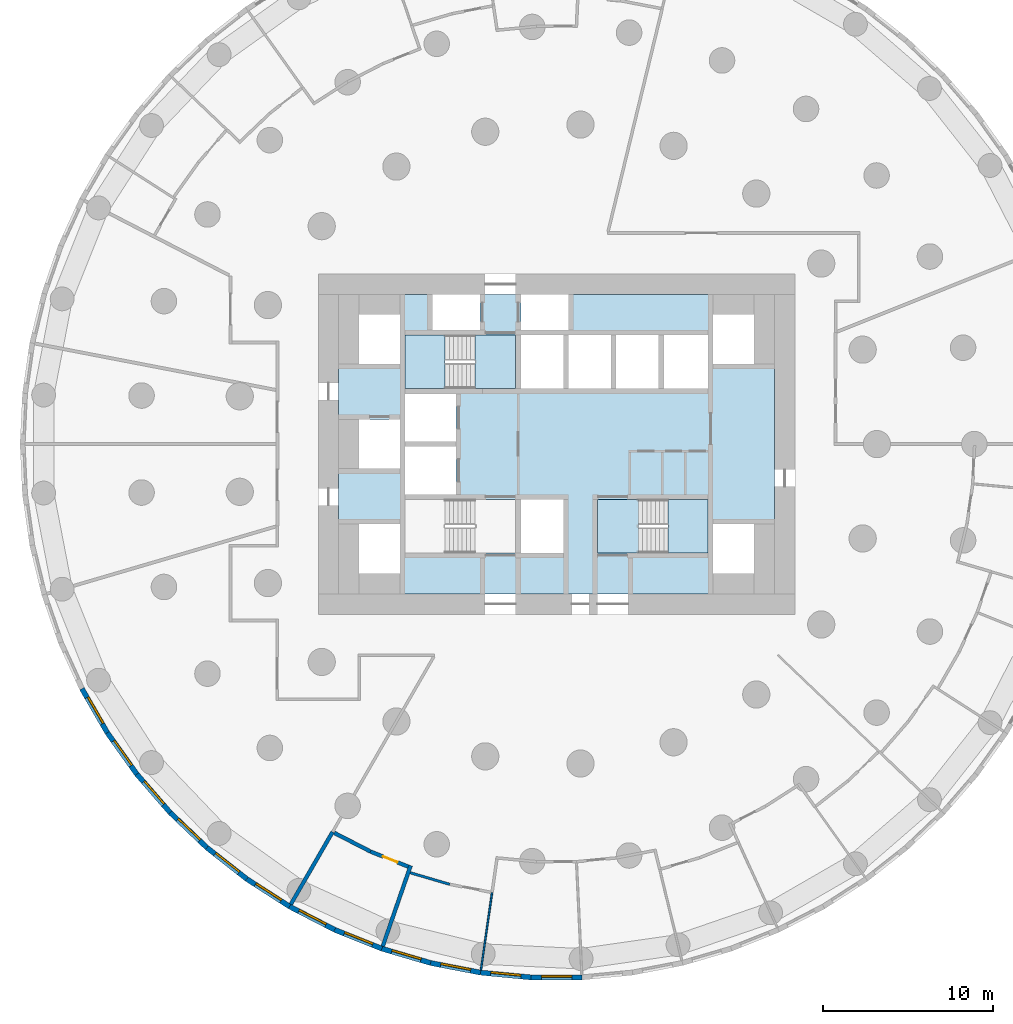
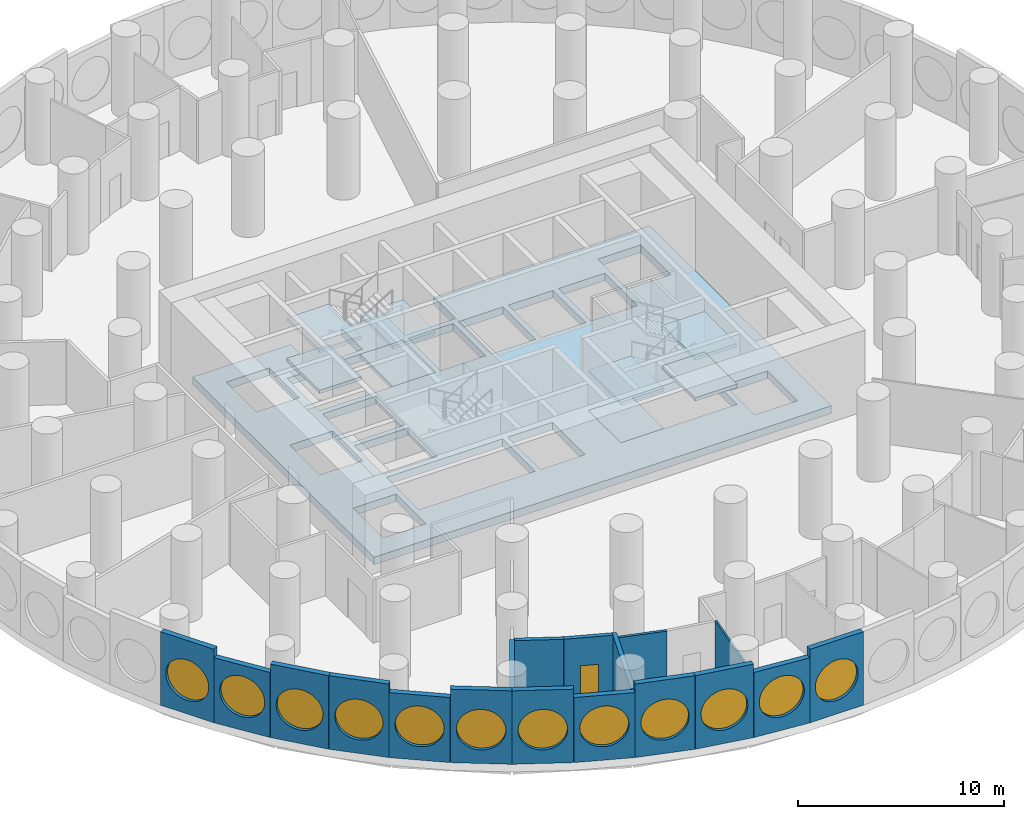
# One storey, part 2 of 11: 18 walls, 12 windows, 9 slabs, 1 door, 13 openings, 2 elements without a shape of their own.
"""IFC4 building model written with IfcOpenShell, lengths in metres."""

from ifc_helpers import new_model, si_unit, direction, frame, frame_2d, origin, origin_2d, place, context, subcontext, project, spatial, polyline, rectangle, circle, outline, extrude, material, layer, layer_set, type_object, element, fill, aggregate, save


model = new_model("IFC4")

# Units and contexts
model_context = context("Model", 3, precision=1e-05, world=origin(), true_north=direction((0.0, 1.0)))
body_context = subcontext(model_context, "Body", "Model", "MODEL_VIEW")
ifc_project = project(units=[si_unit("LENGTHUNIT", "METRE"), si_unit("AREAUNIT", "SQUARE_METRE"), si_unit("VOLUMEUNIT", "CUBIC_METRE"), si_unit("PLANEANGLEUNIT", "RADIAN"), si_unit("MASSUNIT", "GRAM", prefix="KILO")], contexts=[model_context])

# Site, building, storey
site_placement = place(None, origin())
site = spatial("IfcSite", under=ifc_project, at=site_placement, CompositionType="ELEMENT")
building_placement = place(site_placement, origin())
building = spatial("IfcBuilding", under=site, at=building_placement, Name="Tracery Tower", CompositionType="ELEMENT")
storey_placement = place(building_placement, frame((0.0, 0.0, 23.39990234375)))
storey = spatial("IfcBuildingStorey", under=building, at=storey_placement, Name="L04", CompositionType="ELEMENT", Elevation=23.39990234375)

# Slabs
ifc_material_1 = material(Name="Concrete C60/75", Category="concrete")
ifc_layer_1 = layer(ifc_material_1, 0.449951171875)
ifc_layer_set_1 = layer_set([ifc_layer_1], Name="Core floor slab 450 C60")
slab_type_1 = type_object("IfcSlabType", Name="Core floor slab 450 C60", PredefinedType="FLOOR", material=ifc_layer_set_1)
slab_1_placement = place(storey_placement, frame((0.0, 0.0, -0.449951171875)))
element("IfcSlab", 1, at=slab_1_placement, inside=storey, type_object=slab_type_1, Name="L04 core floor 1", PredefinedType="FLOOR", context=body_context, shape_type="SweptSolid", body=[
    extrude(outline(polyline([(-12.800048828125, 8.800048828125), (-7.300048828125, 8.800048828125), (-7.300048828125, 6.699951171875), (-4.5, 6.699951171875), (-4.5, 8.800048828125), (-2.10009765625, 8.800048828125), (-2.10009765625, 6.699951171875), (0.699951171875, 6.699951171875), (0.699951171875, 8.800048828125), (12.800048828125, 8.800048828125), (12.800048828125, -8.800048828125), (-12.800048828125, -8.800048828125), (-12.800048828125, 8.800048828125)]), holes=[polyline([(11.60009765625, -7.60009765625), (11.60009765625, -4.699951171875), (9.199951171875, -4.699951171875), (9.199951171875, -7.60009765625), (11.60009765625, -7.60009765625)]), polyline([(11.60009765625, 4.699951171875), (11.60009765625, 7.60009765625), (9.199951171875, 7.60009765625), (9.199951171875, 4.699951171875), (11.60009765625, 4.699951171875)]), polyline([(2.39990234375, -6.39990234375), (8.89990234375, -6.39990234375), (8.89990234375, -3.25), (2.39990234375, -3.25), (2.39990234375, -6.39990234375)]), polyline([(6.300048828125, 3.25), (8.89990234375, 3.25), (8.89990234375, 6.39990234375), (6.300048828125, 6.39990234375), (6.300048828125, 3.25)]), polyline([(3.5, 3.25), (6.0, 3.25), (6.0, 6.39990234375), (3.5, 6.39990234375), (3.5, 3.25)]), polyline([(3.199951171875, 3.25), (3.199951171875, 6.39990234375), (0.699951171875, 6.39990234375), (0.699951171875, 3.25), (3.199951171875, 3.25)]), polyline([(-2.10009765625, 3.25), (0.39990234375, 3.25), (0.39990234375, 6.39990234375), (-2.10009765625, 6.39990234375), (-2.10009765625, 3.25)]), polyline([(0.39990234375, -6.39990234375), (0.39990234375, -3.25), (-2.10009765625, -3.25), (-2.10009765625, -6.39990234375), (0.39990234375, -6.39990234375)]), polyline([(-2.39990234375, -6.39990234375), (-2.39990234375, -3.25), (-8.89990234375, -3.25), (-8.89990234375, -6.39990234375), (-2.39990234375, -6.39990234375)]), polyline([(-2.39990234375, 3.25), (-2.39990234375, 6.39990234375), (-8.89990234375, 6.39990234375), (-8.89990234375, 3.25), (-2.39990234375, 3.25)]), polyline([(-8.89990234375, -2.949951171875), (-5.89990234375, -2.949951171875), (-5.89990234375, -0.14990234375), (-8.89990234375, -0.14990234375), (-8.89990234375, -2.949951171875)]), polyline([(-5.89990234375, 0.14990234375), (-5.89990234375, 2.949951171875), (-8.89990234375, 2.949951171875), (-8.89990234375, 0.14990234375), (-5.89990234375, 0.14990234375)]), polyline([(-11.60009765625, 4.699951171875), (-9.199951171875, 4.699951171875), (-9.199951171875, 7.60009765625), (-11.60009765625, 7.60009765625), (-11.60009765625, 4.699951171875)]), polyline([(-9.199951171875, -7.60009765625), (-9.199951171875, -4.699951171875), (-11.60009765625, -4.699951171875), (-11.60009765625, -7.60009765625), (-9.199951171875, -7.60009765625)]), polyline([(-9.199951171875, -1.449951171875), (-9.199951171875, 1.449951171875), (-11.60009765625, 1.449951171875), (-11.60009765625, -1.449951171875), (-9.199951171875, -1.449951171875)])]), origin(), (0.0, 0.0, 1.0), 0.449951171875),
])
ifc_material_2 = material(Name="Concrete C32/40", Category="concrete")
ifc_layer_2 = layer(ifc_material_2, 0.199951171875)
ifc_layer_set_2 = layer_set([ifc_layer_2], Name="Stair landing slab 200")
slab_type_2 = type_object("IfcSlabType", Name="Stair landing slab 200", PredefinedType="LANDING", material=ifc_layer_set_2)
slab_2_placement = place(storey_placement, frame((0.0, 0.0, -0.199951171875)))
element("IfcSlab", 2, at=slab_2_placement, inside=storey, type_object=slab_type_2, Name="L04 stair ST3 floor landing", PredefinedType="LANDING", context=body_context, shape_type="SweptSolid", body=[
    extrude(outline(polyline([(-2.39990234375, 6.39990234375), (-4.800537109375, 6.39990234375), (-4.800537109375, 3.25), (-2.39990234375, 3.25), (-2.39990234375, 6.39990234375)])), origin(), (0.0, 0.0, 1.0), 0.199951171875),
])
slab_3_placement = place(storey_placement, frame((0.0, 0.0, -0.199951171875)))
element("IfcSlab", 3, at=slab_3_placement, inside=storey, type_object=slab_type_2, Name="L04 stair ST2 floor landing", PredefinedType="LANDING", context=body_context, shape_type="SweptSolid", body=[
    extrude(outline(polyline([(2.39990234375, -6.39990234375), (4.800537109375, -6.39990234375), (4.800537109375, -3.25), (2.39990234375, -3.25), (2.39990234375, -6.39990234375)])), origin(), (0.0, 0.0, 1.0), 0.199951171875),
])

# Stair, slabs
ifc_material_3 = material(Name="Concrete C32/40", Category="concrete")
stair_type = type_object("IfcStairType", Name="Core stair 32 risers", PredefinedType="HALF_TURN_STAIR", material=ifc_material_3)
stair_1_placement = place(storey_placement, origin())
stair_1 = element("IfcStair", 4, at=stair_1_placement, inside=storey, type_object=stair_type, Name="L04 stair ST3", PredefinedType="HALF_TURN_STAIR")
slab_4_placement = place(storey_placement, frame((0.0, 0.0, 1.0)))
slab_4 = element("IfcSlab", 5, at=slab_4_placement, type_object=slab_type_2, Name="ST3 landing 1", PredefinedType="LANDING", context=body_context, shape_type="SweptSolid", body=[
    extrude(outline(polyline([(-6.54931640625, 6.39990234375), (-8.89990234375, 6.39990234375), (-8.89990234375, 3.25), (-6.54931640625, 3.25), (-6.54931640625, 6.39990234375)])), origin(), (0.0, 0.0, 1.0), 0.2001953125),
])
slab_5_placement = place(storey_placement, frame((0.0, 0.0, 2.2001953125)))
slab_5 = element("IfcSlab", 6, at=slab_5_placement, type_object=slab_type_2, Name="ST3 landing 2", PredefinedType="LANDING", context=body_context, shape_type="SweptSolid", body=[
    extrude(outline(polyline([(-2.39990234375, 6.39990234375), (-4.800537109375, 6.39990234375), (-4.800537109375, 3.25), (-2.39990234375, 3.25), (-2.39990234375, 6.39990234375)])), origin(), (0.0, 0.0, 1.0), 0.199951171875),
])
slab_6_placement = place(storey_placement, frame((0.0, 0.0, 3.400146484375)))
slab_6 = element("IfcSlab", 7, at=slab_6_placement, type_object=slab_type_2, Name="ST3 landing 3", PredefinedType="LANDING", context=body_context, shape_type="SweptSolid", body=[
    extrude(outline(polyline([(-6.54931640625, 6.39990234375), (-8.89990234375, 6.39990234375), (-8.89990234375, 3.25), (-6.54931640625, 3.25), (-6.54931640625, 6.39990234375)])), origin(), (0.0, 0.0, 1.0), 0.199951171875),
])
aggregate(stair_1, [slab_4, slab_5, slab_6])

stair_2_placement = place(storey_placement, origin())
stair_2 = element("IfcStair", 8, at=stair_2_placement, inside=storey, type_object=stair_type, Name="L04 stair ST2", PredefinedType="HALF_TURN_STAIR")
slab_7_placement = place(storey_placement, frame((0.0, 0.0, 1.0)))
slab_7 = element("IfcSlab", 9, at=slab_7_placement, type_object=slab_type_2, Name="ST2 landing 1", PredefinedType="LANDING", context=body_context, shape_type="SweptSolid", body=[
    extrude(outline(polyline([(6.54931640625, -6.39990234375), (8.89990234375, -6.39990234375), (8.89990234375, -3.25), (6.54931640625, -3.25), (6.54931640625, -6.39990234375)])), origin(), (0.0, 0.0, 1.0), 0.2001953125),
])
slab_8_placement = place(storey_placement, frame((0.0, 0.0, 2.2001953125)))
slab_8 = element("IfcSlab", 10, at=slab_8_placement, type_object=slab_type_2, Name="ST2 landing 2", PredefinedType="LANDING", context=body_context, shape_type="SweptSolid", body=[
    extrude(outline(polyline([(2.39990234375, -6.39990234375), (4.800537109375, -6.39990234375), (4.800537109375, -3.25), (2.39990234375, -3.25), (2.39990234375, -6.39990234375)])), origin(), (0.0, 0.0, 1.0), 0.199951171875),
])
slab_9_placement = place(storey_placement, frame((0.0, 0.0, 3.400146484375)))
slab_9 = element("IfcSlab", 11, at=slab_9_placement, type_object=slab_type_2, Name="ST2 landing 3", PredefinedType="LANDING", context=body_context, shape_type="SweptSolid", body=[
    extrude(outline(polyline([(6.54931640625, -6.39990234375), (8.89990234375, -6.39990234375), (8.89990234375, -3.25), (6.54931640625, -3.25), (6.54931640625, -6.39990234375)])), origin(), (0.0, 0.0, 1.0), 0.199951171875),
])
aggregate(stair_2, [slab_7, slab_8, slab_9])

# Wall
ifc_material_4 = material(Name="Plasterboard on steel studs", Category="steel")
ifc_layer_3 = layer(ifc_material_4, 0.14990234375)
ifc_layer_set_3 = layer_set([ifc_layer_3], Name="Corridor partition 150")
wall_type_1 = type_object("IfcWallType", Name="Corridor partition 150", PredefinedType="PARTITIONING", material=ifc_layer_set_3)
wall_1_placement = place(storey_placement, frame((-8.596435546875, -25.187255859375, 0.0), z_axis=(0.0, 0.0, 1.0), x_axis=(0.959498797191, -0.281712722802, 0.0)))
element("IfcWall", 12, at=wall_1_placement, inside=storey, type_object=wall_type_1, Name="Corridor partition 150", PredefinedType="PARTITIONING", context=body_context, shape_type="SweptSolid", body=[
    extrude(rectangle(XDim=2.418701171875, YDim=0.14990234375, at=frame_2d((1.20947265625, 0.0))), origin(), (0.0, 0.0, 1.0), 3.75),
])

# Wall, opening, window
ifc_material_5 = material(Name="Precast concrete C50/60", Category="concrete")
ifc_layer_4 = layer(ifc_material_5, 0.300048828125)
ifc_layer_set_4 = layer_set([ifc_layer_4], Name="Facade panel 3000 x 3850")
wall_type_2 = type_object("IfcWallType", Name="Facade panel 3000 x 3850", PredefinedType="SOLIDWALL", material=ifc_layer_set_4)
wall_2_placement = place(storey_placement, frame((-26.393798828125, -16.96240234375, 0.0), z_axis=(0.0, 0.0, 1.0), x_axis=(0.580100533892, -0.814544885551, 0.0)))
wall_2 = element("IfcWall", 13, at=wall_2_placement, inside=storey, type_object=wall_type_2, Name="Facade panel 40 at L04", PredefinedType="SOLIDWALL", context=body_context, shape_type="SweptSolid", body=[
    extrude(rectangle(XDim=2.985595703125, YDim=0.300048828125, at=frame_2d((1.49267578125, 0.0))), origin(), (0.0, 0.0, 1.0), 3.85009765625),
])
opening_1_placement = place(wall_2_placement, frame((1.492919921875, 0.0, 2.0)))
opening_1 = element("IfcOpeningElement", 14, at=opening_1_placement, cuts=wall_2, Name="Opening WN2", PredefinedType="OPENING", context=body_context, shape_type="SweptSolid", body=[
    extrude(circle(Radius=1.199951171875, at=origin_2d()), frame((0.0, 0.159912109375, 0.0), z_axis=(0.0, -1.0, 0.0), x_axis=(1.0, 0.0, 0.0)), (0.0, 0.0, 1.0), 0.320068359375),
])
ifc_material_6 = material(Name="Aluminium frame with tinted double glazing", Category="aluminium")
window_type = type_object("IfcWindowType", Name="Round window 2400", PartitioningType="SINGLE_PANEL", PredefinedType="WINDOW", material=ifc_material_6)
window_1_placement = place(opening_1_placement, origin())
window_1 = element("IfcWindow", 15, at=window_1_placement, inside=storey, type_object=window_type, Name="Round window 40 at L04", OverallHeight=2.39990234375, OverallWidth=2.39990234375, PartitioningType="SINGLE_PANEL", PredefinedType="WINDOW", context=body_context, shape_type="SweptSolid", body=[
    extrude(circle(Radius=1.199951171875, at=origin_2d()), frame((0.0, 0.1201171875, 0.0), z_axis=(0.0, -1.0, 0.0), x_axis=(1.0, 0.0, 0.0)), (0.0, 0.0, 1.0), 0.10009765625),
])
fill(opening_1, window_1)

wall_3_placement = place(storey_placement, frame((-20.5458984375, -23.711181640625, 0.0), z_axis=(0.0, 0.0, 1.0), x_axis=(0.786043032847, -0.618171780747, 0.0)))
wall_3 = element("IfcWall", 16, at=wall_3_placement, inside=storey, type_object=wall_type_2, Name="Facade panel 43 at L04", PredefinedType="SOLIDWALL", context=body_context, shape_type="SweptSolid", body=[
    extrude(rectangle(XDim=2.98583984375, YDim=0.300048828125, at=frame_2d((1.492919921875, 0.0))), origin(), (0.0, 0.0, 1.0), 3.85009765625),
])
opening_2_placement = place(wall_3_placement, frame((1.492919921875, 0.0, 2.0)))
opening_2 = element("IfcOpeningElement", 17, at=opening_2_placement, cuts=wall_3, Name="Opening WN2", PredefinedType="OPENING", context=body_context, shape_type="SweptSolid", body=[
    extrude(circle(Radius=1.199951171875, at=origin_2d()), frame((0.0, 0.159912109375, 0.0), z_axis=(0.0, -1.0, 0.0), x_axis=(1.0, 0.0, 0.0)), (0.0, 0.0, 1.0), 0.320068359375),
])
window_2_placement = place(opening_2_placement, origin())
window_2 = element("IfcWindow", 18, at=window_2_placement, inside=storey, type_object=window_type, Name="Round window 43 at L04", OverallHeight=2.39990234375, OverallWidth=2.39990234375, PartitioningType="SINGLE_PANEL", PredefinedType="WINDOW", context=body_context, shape_type="SweptSolid", body=[
    extrude(circle(Radius=1.199951171875, at=origin_2d()), frame((0.0, 0.1201171875, 0.0), z_axis=(0.0, -1.0, 0.0), x_axis=(1.0, 0.0, 0.0)), (0.0, 0.0, 1.0), 0.10009765625),
])
fill(opening_2, window_2)

wall_4_placement = place(storey_placement, frame((-13.033447265625, -28.539306640625, 0.0), z_axis=(0.0, 0.0, 1.0), x_axis=(0.928380795373, -0.371630325434, 0.0)))
wall_4 = element("IfcWall", 19, at=wall_4_placement, inside=storey, type_object=wall_type_2, Name="Facade panel 46 at L04", PredefinedType="SOLIDWALL", context=body_context, shape_type="SweptSolid", body=[
    extrude(rectangle(XDim=2.98583984375, YDim=0.300048828125, at=frame_2d((1.492919921875, 0.0))), origin(), (0.0, 0.0, 1.0), 3.85009765625),
])
opening_3_placement = place(wall_4_placement, frame((1.492919921875, 0.0, 2.0)))
opening_3 = element("IfcOpeningElement", 20, at=opening_3_placement, cuts=wall_4, Name="Opening WN2", PredefinedType="OPENING", context=body_context, shape_type="SweptSolid", body=[
    extrude(circle(Radius=1.199951171875, at=origin_2d()), frame((0.0, 0.159912109375, 0.0), z_axis=(0.0, -1.0, 0.0), x_axis=(1.0, 0.0, 0.0)), (0.0, 0.0, 1.0), 0.320068359375),
])
window_3_placement = place(opening_3_placement, origin())
window_3 = element("IfcWindow", 21, at=window_3_placement, inside=storey, type_object=window_type, Name="Round window 46 at L04", OverallHeight=2.39990234375, OverallWidth=2.39990234375, PartitioningType="SINGLE_PANEL", PredefinedType="WINDOW", context=body_context, shape_type="SweptSolid", body=[
    extrude(circle(Radius=1.199951171875, at=origin_2d()), frame((0.0, 0.1201171875, 0.0), z_axis=(0.0, -1.0, 0.0), x_axis=(1.0, 0.0, 0.0)), (0.0, 0.0, 1.0), 0.10009765625),
])
fill(opening_3, window_3)

wall_5_placement = place(storey_placement, frame((-4.465087890625, -31.05517578125, 0.0), z_axis=(0.0, 0.0, 1.0), x_axis=(0.99547560533, -0.095017467833, 0.0)))
wall_5 = element("IfcWall", 22, at=wall_5_placement, inside=storey, type_object=wall_type_2, Name="Facade panel 49 at L04", PredefinedType="SOLIDWALL", context=body_context, shape_type="SweptSolid", body=[
    extrude(rectangle(XDim=2.985595703125, YDim=0.300048828125, at=frame_2d((1.49267578125, 0.0))), origin(), (0.0, 0.0, 1.0), 3.85009765625),
])
opening_4_placement = place(wall_5_placement, frame((1.492919921875, 0.0, 2.0)))
opening_4 = element("IfcOpeningElement", 23, at=opening_4_placement, cuts=wall_5, Name="Opening WN2", PredefinedType="OPENING", context=body_context, shape_type="SweptSolid", body=[
    extrude(circle(Radius=1.199951171875, at=origin_2d()), frame((0.0, 0.159912109375, 0.0), z_axis=(0.0, -1.0, 0.0), x_axis=(1.0, 0.0, 0.0)), (0.0, 0.0, 1.0), 0.320068359375),
])
window_4_placement = place(opening_4_placement, origin())
window_4 = element("IfcWindow", 24, at=window_4_placement, inside=storey, type_object=window_type, Name="Round window 49 at L04", OverallHeight=2.39990234375, OverallWidth=2.39990234375, PartitioningType="SINGLE_PANEL", PredefinedType="WINDOW", context=body_context, shape_type="SweptSolid", body=[
    extrude(circle(Radius=1.199951171875, at=origin_2d()), frame((0.0, 0.1201171875, 0.0), z_axis=(0.0, -1.0, 0.0), x_axis=(1.0, 0.0, 0.0)), (0.0, 0.0, 1.0), 0.10009765625),
])
fill(opening_4, window_4)

ifc_material_7 = material(Name="Precast concrete C50/60", Category="concrete")
ifc_layer_5 = layer(ifc_material_7, 0.300048828125)
ifc_layer_set_5 = layer_set([ifc_layer_5], Name="Facade panel 3000 x 4350")
wall_type_3 = type_object("IfcWallType", Name="Facade panel 3000 x 4350", PredefinedType="SOLIDWALL", material=ifc_layer_set_5)
wall_6_placement = place(storey_placement, frame((-27.88671875, -14.376708984375, 0.0), z_axis=(0.0, 0.0, 1.0), x_axis=(0.500017373705, -0.866015372839, 0.0)))
wall_6 = element("IfcWall", 25, at=wall_6_placement, inside=storey, type_object=wall_type_3, Name="Facade panel 39 at L04", PredefinedType="SOLIDWALL", context=body_context, shape_type="SweptSolid", body=[
    extrude(rectangle(XDim=2.98583984375, YDim=0.300048828125, at=frame_2d((1.492919921875, 0.0))), origin(), (0.0, 0.0, 1.0), 4.35009765625),
])
opening_5_placement = place(wall_6_placement, frame((1.492919921875, 0.0, 2.0)))
opening_5 = element("IfcOpeningElement", 26, at=opening_5_placement, cuts=wall_6, Name="Opening WN2", PredefinedType="OPENING", context=body_context, shape_type="SweptSolid", body=[
    extrude(circle(Radius=1.199951171875, at=origin_2d()), frame((0.0, 0.159912109375, 0.0), z_axis=(0.0, -1.0, 0.0), x_axis=(1.0, 0.0, 0.0)), (0.0, 0.0, 1.0), 0.320068359375),
])
window_5_placement = place(opening_5_placement, origin())
window_5 = element("IfcWindow", 27, at=window_5_placement, inside=storey, type_object=window_type, Name="Round window 39 at L04", OverallHeight=2.39990234375, OverallWidth=2.39990234375, PartitioningType="SINGLE_PANEL", PredefinedType="WINDOW", context=body_context, shape_type="SweptSolid", body=[
    extrude(circle(Radius=1.199951171875, at=origin_2d()), frame((0.0, 0.1201171875, 0.0), z_axis=(0.0, -1.0, 0.0), x_axis=(1.0, 0.0, 0.0)), (0.0, 0.0, 1.0), 0.10009765625),
])
fill(opening_5, window_5)

wall_7_placement = place(storey_placement, frame((-24.661865234375, -19.394287109375, 0.0), z_axis=(0.0, 0.0, 1.0), x_axis=(0.654809121128, -0.755794294029, 0.0)))
wall_7 = element("IfcWall", 28, at=wall_7_placement, inside=storey, type_object=wall_type_3, Name="Facade panel 41 at L04", PredefinedType="SOLIDWALL", context=body_context, shape_type="SweptSolid", body=[
    extrude(rectangle(XDim=2.98583984375, YDim=0.300048828125, at=frame_2d((1.492919921875, 0.0))), origin(), (0.0, 0.0, 1.0), 4.35009765625),
])
opening_6_placement = place(wall_7_placement, frame((1.492919921875, 0.0, 2.0)))
opening_6 = element("IfcOpeningElement", 29, at=opening_6_placement, cuts=wall_7, Name="Opening WN2", PredefinedType="OPENING", context=body_context, shape_type="SweptSolid", body=[
    extrude(circle(Radius=1.199951171875, at=origin_2d()), frame((0.0, 0.159912109375, 0.0), z_axis=(0.0, -1.0, 0.0), x_axis=(1.0, 0.0, 0.0)), (0.0, 0.0, 1.0), 0.320068359375),
])
window_6_placement = place(opening_6_placement, origin())
window_6 = element("IfcWindow", 30, at=window_6_placement, inside=storey, type_object=window_type, Name="Round window 41 at L04", OverallHeight=2.39990234375, OverallWidth=2.39990234375, PartitioningType="SINGLE_PANEL", PredefinedType="WINDOW", context=body_context, shape_type="SweptSolid", body=[
    extrude(circle(Radius=1.199951171875, at=origin_2d()), frame((0.0, 0.1201171875, 0.0), z_axis=(0.0, -1.0, 0.0), x_axis=(1.0, 0.0, 0.0)), (0.0, 0.0, 1.0), 0.10009765625),
])
fill(opening_6, window_6)

wall_8_placement = place(storey_placement, frame((-22.706787109375, -21.65087890625, 0.0), z_axis=(0.0, 0.0, 1.0), x_axis=(0.723750841228, -0.690061388444, 0.0)))
wall_8 = element("IfcWall", 31, at=wall_8_placement, inside=storey, type_object=wall_type_3, Name="Facade panel 42 at L04", PredefinedType="SOLIDWALL", context=body_context, shape_type="SweptSolid", body=[
    extrude(rectangle(XDim=2.985595703125, YDim=0.300048828125, at=frame_2d((1.49267578125, 0.0))), origin(), (0.0, 0.0, 1.0), 4.35009765625),
])
opening_7_placement = place(wall_8_placement, frame((1.492919921875, 0.0, 2.0)))
opening_7 = element("IfcOpeningElement", 32, at=opening_7_placement, cuts=wall_8, Name="Opening WN2", PredefinedType="OPENING", context=body_context, shape_type="SweptSolid", body=[
    extrude(circle(Radius=1.199951171875, at=origin_2d()), frame((0.0, 0.159912109375, 0.0), z_axis=(0.0, -1.0, 0.0), x_axis=(1.0, 0.0, 0.0)), (0.0, 0.0, 1.0), 0.320068359375),
])
window_7_placement = place(opening_7_placement, origin())
window_7 = element("IfcWindow", 33, at=window_7_placement, inside=storey, type_object=window_type, Name="Round window 42 at L04", OverallHeight=2.39990234375, OverallWidth=2.39990234375, PartitioningType="SINGLE_PANEL", PredefinedType="WINDOW", context=body_context, shape_type="SweptSolid", body=[
    extrude(circle(Radius=1.199951171875, at=origin_2d()), frame((0.0, 0.1201171875, 0.0), z_axis=(0.0, -1.0, 0.0), x_axis=(1.0, 0.0, 0.0)), (0.0, 0.0, 1.0), 0.10009765625),
])
fill(opening_7, window_7)

wall_9_placement = place(storey_placement, frame((-18.198974609375, -25.556884765625, 0.0), z_axis=(0.0, 0.0, 1.0), x_axis=(0.841242231846, -0.540658401727, 0.0)))
wall_9 = element("IfcWall", 34, at=wall_9_placement, inside=storey, type_object=wall_type_3, Name="Facade panel 44 at L04", PredefinedType="SOLIDWALL", context=body_context, shape_type="SweptSolid", body=[
    extrude(rectangle(XDim=2.98583984375, YDim=0.300048828125, at=frame_2d((1.492919921875, 0.0))), origin(), (0.0, 0.0, 1.0), 4.35009765625),
])
opening_8_placement = place(wall_9_placement, frame((1.492919921875, 0.0, 2.0)))
opening_8 = element("IfcOpeningElement", 35, at=opening_8_placement, cuts=wall_9, Name="Opening WN2", PredefinedType="OPENING", context=body_context, shape_type="SweptSolid", body=[
    extrude(circle(Radius=1.199951171875, at=origin_2d()), frame((0.0, 0.159912109375, 0.0), z_axis=(0.0, -1.0, 0.0), x_axis=(1.0, 0.0, 0.0)), (0.0, 0.0, 1.0), 0.320068359375),
])
window_8_placement = place(opening_8_placement, origin())
window_8 = element("IfcWindow", 36, at=window_8_placement, inside=storey, type_object=window_type, Name="Round window 44 at L04", OverallHeight=2.39990234375, OverallWidth=2.39990234375, PartitioningType="SINGLE_PANEL", PredefinedType="WINDOW", context=body_context, shape_type="SweptSolid", body=[
    extrude(circle(Radius=1.199951171875, at=origin_2d()), frame((0.0, 0.1201171875, 0.0), z_axis=(0.0, -1.0, 0.0), x_axis=(1.0, 0.0, 0.0)), (0.0, 0.0, 1.0), 0.10009765625),
])
fill(opening_8, window_8)

wall_10_placement = place(storey_placement, frame((-15.687255859375, -27.171142578125, 0.0), z_axis=(0.0, 0.0, 1.0), x_axis=(0.888831268481, -0.458234630043, 0.0)))
wall_10 = element("IfcWall", 37, at=wall_10_placement, inside=storey, type_object=wall_type_3, Name="Facade panel 45 at L04", PredefinedType="SOLIDWALL", context=body_context, shape_type="SweptSolid", body=[
    extrude(rectangle(XDim=2.98583984375, YDim=0.300048828125, at=frame_2d((1.492919921875, 0.0))), origin(), (0.0, 0.0, 1.0), 4.35009765625),
])
opening_9_placement = place(wall_10_placement, frame((1.492919921875, 0.0, 2.0)))
opening_9 = element("IfcOpeningElement", 38, at=opening_9_placement, cuts=wall_10, Name="Opening WN2", PredefinedType="OPENING", context=body_context, shape_type="SweptSolid", body=[
    extrude(circle(Radius=1.199951171875, at=origin_2d()), frame((0.0, 0.159912109375, 0.0), z_axis=(0.0, -1.0, 0.0), x_axis=(1.0, 0.0, 0.0)), (0.0, 0.0, 1.0), 0.320068359375),
])
window_9_placement = place(opening_9_placement, origin())
window_9 = element("IfcWindow", 39, at=window_9_placement, inside=storey, type_object=window_type, Name="Round window 45 at L04", OverallHeight=2.39990234375, OverallWidth=2.39990234375, PartitioningType="SINGLE_PANEL", PredefinedType="WINDOW", context=body_context, shape_type="SweptSolid", body=[
    extrude(circle(Radius=1.199951171875, at=origin_2d()), frame((0.0, 0.1201171875, 0.0), z_axis=(0.0, -1.0, 0.0), x_axis=(1.0, 0.0, 0.0)), (0.0, 0.0, 1.0), 0.10009765625),
])
fill(opening_9, window_9)

wall_11_placement = place(storey_placement, frame((-10.261474609375, -29.64892578125, 0.0), z_axis=(0.0, 0.0, 1.0), x_axis=(0.959502108153, -0.281701445593, 0.0)))
wall_11 = element("IfcWall", 40, at=wall_11_placement, inside=storey, type_object=wall_type_3, Name="Facade panel 47 at L04", PredefinedType="SOLIDWALL", context=body_context, shape_type="SweptSolid", body=[
    extrude(rectangle(XDim=2.985595703125, YDim=0.300048828125, at=frame_2d((1.49267578125, 0.0))), origin(), (0.0, 0.0, 1.0), 4.35009765625),
])
opening_10_placement = place(wall_11_placement, frame((1.492919921875, 0.0, 2.0)))
opening_10 = element("IfcOpeningElement", 41, at=opening_10_placement, cuts=wall_11, Name="Opening WN2", PredefinedType="OPENING", context=body_context, shape_type="SweptSolid", body=[
    extrude(circle(Radius=1.199951171875, at=origin_2d()), frame((0.0, 0.159912109375, 0.0), z_axis=(0.0, -1.0, 0.0), x_axis=(1.0, 0.0, 0.0)), (0.0, 0.0, 1.0), 0.320068359375),
])
window_10_placement = place(opening_10_placement, origin())
window_10 = element("IfcWindow", 42, at=window_10_placement, inside=storey, type_object=window_type, Name="Round window 47 at L04", OverallHeight=2.39990234375, OverallWidth=2.39990234375, PartitioningType="SINGLE_PANEL", PredefinedType="WINDOW", context=body_context, shape_type="SweptSolid", body=[
    extrude(circle(Radius=1.199951171875, at=origin_2d()), frame((0.0, 0.1201171875, 0.0), z_axis=(0.0, -1.0, 0.0), x_axis=(1.0, 0.0, 0.0)), (0.0, 0.0, 1.0), 0.10009765625),
])
fill(opening_10, window_10)

wall_12_placement = place(storey_placement, frame((-7.396728515625, -30.489990234375, 0.0), z_axis=(0.0, 0.0, 1.0), x_axis=(0.981918853666, -0.189302310646, 0.0)))
wall_12 = element("IfcWall", 43, at=wall_12_placement, inside=storey, type_object=wall_type_3, Name="Facade panel 48 at L04", PredefinedType="SOLIDWALL", context=body_context, shape_type="SweptSolid", body=[
    extrude(rectangle(XDim=2.985595703125, YDim=0.300048828125, at=frame_2d((1.49267578125, 0.0))), origin(), (0.0, 0.0, 1.0), 4.35009765625),
])
opening_11_placement = place(wall_12_placement, frame((1.492919921875, 0.0, 2.0)))
opening_11 = element("IfcOpeningElement", 44, at=opening_11_placement, cuts=wall_12, Name="Opening WN2", PredefinedType="OPENING", context=body_context, shape_type="SweptSolid", body=[
    extrude(circle(Radius=1.199951171875, at=origin_2d()), frame((0.0, 0.159912109375, 0.0), z_axis=(0.0, -1.0, 0.0), x_axis=(1.0, 0.0, 0.0)), (0.0, 0.0, 1.0), 0.320068359375),
])
window_11_placement = place(opening_11_placement, origin())
window_11 = element("IfcWindow", 45, at=window_11_placement, inside=storey, type_object=window_type, Name="Round window 48 at L04", OverallHeight=2.39990234375, OverallWidth=2.39990234375, PartitioningType="SINGLE_PANEL", PredefinedType="WINDOW", context=body_context, shape_type="SweptSolid", body=[
    extrude(circle(Radius=1.199951171875, at=origin_2d()), frame((0.0, 0.1201171875, 0.0), z_axis=(0.0, -1.0, 0.0), x_axis=(1.0, 0.0, 0.0)), (0.0, 0.0, 1.0), 0.10009765625),
])
fill(opening_11, window_11)

wall_13_placement = place(storey_placement, frame((-1.492919921875, -31.3388671875, 0.0), z_axis=(0.0, 0.0, 1.0), x_axis=(1.0, 0.0, 0.0)))
wall_13 = element("IfcWall", 46, at=wall_13_placement, inside=storey, type_object=wall_type_3, Name="Facade panel 50 at L04", PredefinedType="SOLIDWALL", context=body_context, shape_type="SweptSolid", body=[
    extrude(rectangle(XDim=2.98583984375, YDim=0.300048828125, at=frame_2d((1.492919921875, 0.0))), origin(), (0.0, 0.0, 1.0), 4.35009765625),
])
opening_12_placement = place(wall_13_placement, frame((1.492919921875, 0.0, 2.0)))
opening_12 = element("IfcOpeningElement", 47, at=opening_12_placement, cuts=wall_13, Name="Opening WN2", PredefinedType="OPENING", context=body_context, shape_type="SweptSolid", body=[
    extrude(circle(Radius=1.199951171875, at=origin_2d()), frame((0.0, 0.159912109375, 0.0), z_axis=(0.0, -1.0, 0.0), x_axis=(1.0, 0.0, 0.0)), (0.0, 0.0, 1.0), 0.320068359375),
])
window_12_placement = place(opening_12_placement, origin())
window_12 = element("IfcWindow", 48, at=window_12_placement, inside=storey, type_object=window_type, Name="Round window 50 at L04", OverallHeight=2.39990234375, OverallWidth=2.39990234375, PartitioningType="SINGLE_PANEL", PredefinedType="WINDOW", context=body_context, shape_type="SweptSolid", body=[
    extrude(circle(Radius=1.199951171875, at=origin_2d()), frame((0.0, 0.1201171875, 0.0), z_axis=(0.0, -1.0, 0.0), x_axis=(1.0, 0.0, 0.0)), (0.0, 0.0, 1.0), 0.10009765625),
])
fill(opening_12, window_12)

# Walls
ifc_material_8 = material(Name="Concrete blockwork", Category="masonry")
ifc_layer_6 = layer(ifc_material_8, 0.22509765625)
ifc_layer_set_6 = layer_set([ifc_layer_6], Name="Plant room block wall 225")
wall_type_4 = type_object("IfcWallType", Name="Plant room block wall 225", PredefinedType="PARTITIONING", material=ifc_layer_set_6)
wall_14_placement = place(storey_placement, frame((-15.612060546875, -27.041015625, 0.0), z_axis=(0.0, 0.0, 1.0), x_axis=(0.499982380289, 0.86603557629, 0.0)))
element("IfcWall", 49, at=wall_14_placement, inside=storey, type_object=wall_type_4, Name="Plant room block wall 225", PredefinedType="PARTITIONING", context=body_context, shape_type="SweptSolid", body=[
    extrude(rectangle(XDim=4.905517578125, YDim=0.22509765625, at=frame_2d((2.45263671875, 0.0))), origin(), (0.0, 0.0, 1.0), 3.75),
])
wall_15_placement = place(storey_placement, frame((-13.059326171875, -22.84423828125, 0.0), z_axis=(0.0, 0.0, 1.0), x_axis=(0.888868766166, -0.458161889002, 0.0)))
element("IfcWall", 50, at=wall_15_placement, inside=storey, type_object=wall_type_4, Name="Plant room block wall 225", PredefinedType="PARTITIONING", context=body_context, shape_type="SweptSolid", body=[
    extrude(rectangle(XDim=2.39208984375, YDim=0.22509765625, at=frame_2d((1.196044921875, 0.0))), origin(), (0.0, 0.0, 1.0), 3.75),
])

# Wall, opening, door
wall_16_placement = place(storey_placement, frame((-8.71240234375, -24.829345703125, 0.0), z_axis=(0.0, 0.0, 1.0), x_axis=(-0.928349940024, 0.37170739683, 0.0)))
wall_16 = element("IfcWall", 51, at=wall_16_placement, inside=storey, type_object=wall_type_4, Name="Plant room block wall 225", PredefinedType="PARTITIONING", context=body_context, shape_type="SweptSolid", body=[
    extrude(rectangle(XDim=2.39208984375, YDim=0.22509765625, at=frame_2d((1.196044921875, 0.0))), origin(), (0.0, 0.0, 1.0), 3.75),
])
opening_13_placement = place(wall_16_placement, frame((0.68994140625, 0.0, 0.0)))
opening_13 = element("IfcOpeningElement", 52, at=opening_13_placement, cuts=wall_16, Name="Opening SB-L04-15", PredefinedType="OPENING", context=body_context, shape_type="SweptSolid", body=[
    extrude(rectangle(XDim=0.89990234375, YDim=2.10009765625, at=frame_2d((0.449951171875, 1.050048828125))), frame((0.0, 0.112548828125, 0.0), z_axis=(0.0, -1.0, 0.0), x_axis=(1.0, 0.0, 0.0)), (0.0, 0.0, 1.0), 0.22509765625),
])
ifc_material_9 = material(Name="Steel fire door", Category="steel")
door_type = type_object("IfcDoorType", Name="Store door 900", OperationType="NOTDEFINED", PredefinedType="DOOR", material=ifc_material_9)
door_placement = place(opening_13_placement, origin())
door = element("IfcDoor", 53, at=door_placement, inside=storey, type_object=door_type, Name="Store door 900", OperationType="SINGLE_SWING_RIGHT", OverallHeight=2.10009765625, OverallWidth=0.89990234375, PredefinedType="DOOR", context=body_context, shape_type="SweptSolid", body=[
    extrude(rectangle(XDim=0.89990234375, YDim=2.10009765625, at=frame_2d((0.449951171875, 1.050048828125))), frame((0.0, 0.02490234375, 0.0), z_axis=(0.0, -1.0, 0.0), x_axis=(1.0, 0.0, 0.0)), (0.0, 0.0, 1.0), 0.050048828125),
])
fill(opening_13, door)

# Walls
wall_17_placement = place(storey_placement, frame((-10.21240234375, -29.507080078125, 0.0), z_axis=(0.0, 0.0, 1.0), x_axis=(0.327037038986, 0.945011521163, 0.0)))
element("IfcWall", 54, at=wall_17_placement, inside=storey, type_object=wall_type_4, Name="Plant room block wall 225", PredefinedType="PARTITIONING", context=body_context, shape_type="SweptSolid", body=[
    extrude(rectangle(XDim=5.01806640625, YDim=0.22509765625, at=frame_2d((2.509033203125, 0.0))), origin(), (0.0, 0.0, 1.0), 3.75),
])
ifc_material_10 = material(Name="Plasterboard on steel studs", Category="steel")
ifc_layer_7 = layer(ifc_material_10, 0.10009765625)
ifc_layer_set_7 = layer_set([ifc_layer_7], Name="Stud partition 100")
wall_type_5 = type_object("IfcWallType", Name="Stud partition 100", PredefinedType="PARTITIONING", material=ifc_layer_set_7)
wall_18_placement = place(storey_placement, frame((-4.443603515625, -30.906494140625, 0.0), z_axis=(0.0, 0.0, 1.0), x_axis=(0.142289671733, 0.989825059957, 0.0)))
element("IfcWall", 55, at=wall_18_placement, inside=storey, type_object=wall_type_5, Name="Stud partition 100", PredefinedType="PARTITIONING", context=body_context, shape_type="SweptSolid", body=[
    extrude(rectangle(XDim=4.605224609375, YDim=0.10009765625, at=frame_2d((2.302734375, 0.0))), origin(), (0.0, 0.0, 1.0), 3.75),
])

save(model, "model.ifc")
